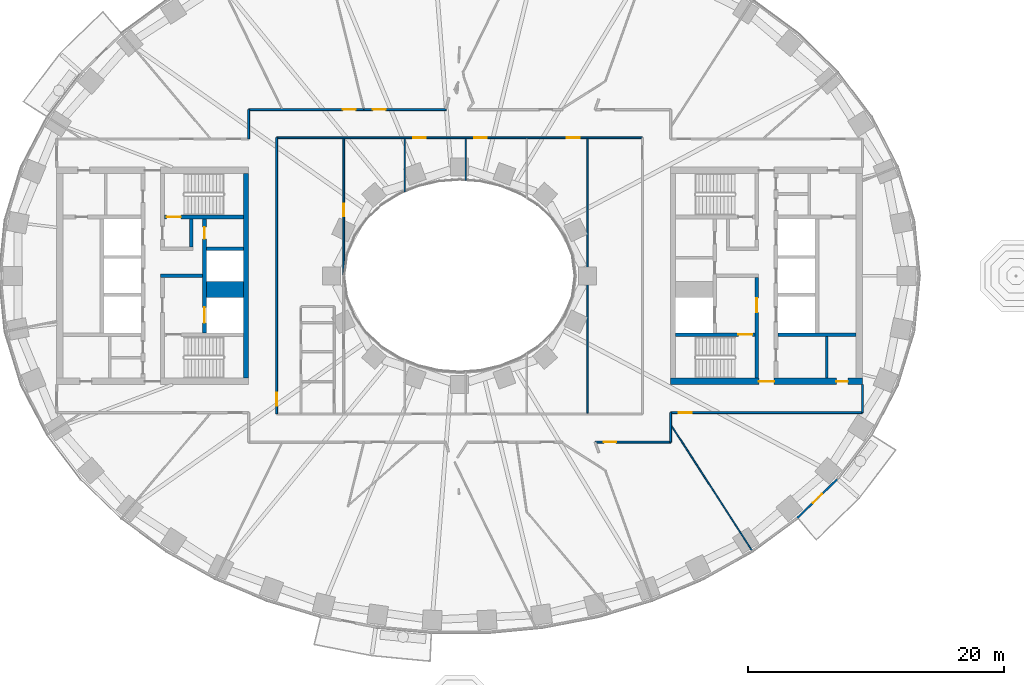
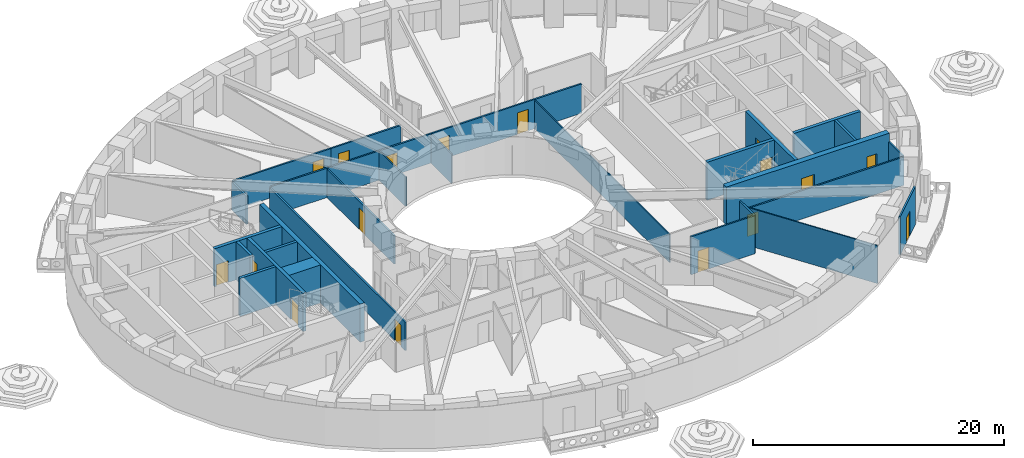
# One storey, part 5 of 20: 27 walls, 17 doors, 17 openings.
"""IFC4 building model written with IfcOpenShell, lengths in metres."""

from ifc_helpers import new_model, si_unit, direction, frame, frame_2d, origin, place, context, subcontext, project, spatial, rectangle, extrude, material, layer, layer_set, type_object, element, fill, save


model = new_model("IFC4")

# Units and contexts
model_context = context("Model", 3, precision=1e-05, world=origin(), true_north=direction((0.0, 1.0)))
body_context = subcontext(model_context, "Body", "Model", "MODEL_VIEW")
ifc_project = project(units=[si_unit("LENGTHUNIT", "METRE"), si_unit("AREAUNIT", "SQUARE_METRE"), si_unit("VOLUMEUNIT", "CUBIC_METRE"), si_unit("PLANEANGLEUNIT", "RADIAN"), si_unit("MASSUNIT", "GRAM", prefix="KILO")], contexts=[model_context])

# Site, building, storey
site_placement = place(None, origin())
site = spatial("IfcSite", under=ifc_project, at=site_placement, CompositionType="ELEMENT")
building_placement = place(site_placement, origin())
building = spatial("IfcBuilding", under=site, at=building_placement, Name="Noorbagh Ring Tower", CompositionType="ELEMENT")
storey_placement = place(building_placement, frame((0.0, 0.0, 34.5)))
storey = spatial("IfcBuildingStorey", under=building, at=storey_placement, Name="L06", CompositionType="ELEMENT", Elevation=34.5)

# Walls
ifc_material_1 = material(Name="Gypsum board on steel studs", Category="steel")
ifc_layer_1 = layer(ifc_material_1, 0.199951171875)
ifc_layer_set_1 = layer_set([ifc_layer_1], Name="Gypsum board on steel studs")
wall_type_1 = type_object("IfcWallType", Name="CORE-PARTITION-200", PredefinedType="PARTITIONING", material=ifc_layer_set_1)
wall_1_placement = place(storey_placement, frame((28.699951171875, -8.0, 0.0), z_axis=(0.0, 0.0, 1.0), x_axis=(0.0, 1.0, 0.0)))
element("IfcWall", 1, at=wall_1_placement, inside=storey, type_object=wall_type_1, Name="Core partition E", PredefinedType="PARTITIONING", context=body_context, shape_type="SweptSolid", body=[
    extrude(rectangle(XDim=3.25, YDim=0.199951171875, at=frame_2d((1.625, 0.0))), origin(), (0.0, 0.0, 1.0), 3.699951171875),
])
ifc_material_2 = material(Name="Concrete C70/85", Category="concrete")
ifc_layer_2 = layer(ifc_material_2, 1.25)
ifc_layer_set_2 = layer_set([ifc_layer_2], Name="Concrete C70/85")
wall_type_2 = type_object("IfcWallType", Name="CORE-WALL-1250-C70-85-EI120", PredefinedType="SHEAR", material=ifc_layer_set_2)
wall_2_placement = place(storey_placement, frame((-16.89990234375, -1.074951171875, 0.0), z_axis=(0.0, 0.0, 1.0), x_axis=(-1.0, 0.0, 0.0)))
element("IfcWall", 2, at=wall_2_placement, inside=storey, type_object=wall_type_2, Name="Core wall W", PredefinedType="SHEAR", context=body_context, shape_type="SweptSolid", body=[
    extrude(rectangle(XDim=2.900146484375, YDim=1.25, at=frame_2d((1.4501953125, 0.0))), origin(), (0.0, 0.0, 1.0), 3.699951171875),
])
ifc_material_3 = material(Name="Concrete C70/85", Category="concrete")
ifc_layer_3 = layer(ifc_material_3, 0.25)
ifc_layer_set_3 = layer_set([ifc_layer_3], Name="Concrete C70/85")
wall_type_3 = type_object("IfcWallType", Name="CORE-WALL-250-C70-85-EI120", PredefinedType="SHEAR", material=ifc_layer_set_3)
wall_3_placement = place(storey_placement, frame((-16.89990234375, 2.125, 0.0), z_axis=(0.0, 0.0, 1.0), x_axis=(-1.0, 0.0, 0.0)))
element("IfcWall", 3, at=wall_3_placement, inside=storey, type_object=wall_type_3, Name="Core wall W", PredefinedType="SHEAR", context=body_context, shape_type="SweptSolid", body=[
    extrude(rectangle(XDim=2.900146484375, YDim=0.25, at=frame_2d((1.4501953125, 0.0))), origin(), (0.0, 0.0, 1.0), 3.699951171875),
])
ifc_material_4 = material(Name="Concrete C70/85", Category="concrete")
ifc_layer_4 = layer(ifc_material_4, 0.25)
ifc_layer_set_4 = layer_set([ifc_layer_4], Name="Concrete C70/85")
wall_type_4 = type_object("IfcWallType", Name="CORE-WALL-250-C70-85-EI240", PredefinedType="SHEAR", material=ifc_layer_set_4)
wall_4_placement = place(storey_placement, frame((-20.10009765625, 0.0, 0.0), z_axis=(0.0, 0.0, 1.0), x_axis=(-1.0, 0.0, 0.0)))
element("IfcWall", 4, at=wall_4_placement, inside=storey, type_object=wall_type_4, Name="Core wall W", PredefinedType="SHEAR", context=body_context, shape_type="SweptSolid", body=[
    extrude(rectangle(XDim=3.27978515625, YDim=0.25, at=frame_2d((1.639892578125, 0.0))), origin(), (0.0, 0.0, 1.0), 3.699951171875),
])
wall_5_placement = place(storey_placement, frame((-20.97509765625, 2.25, 0.0), z_axis=(0.0, 0.0, 1.0), x_axis=(0.0, 1.0, 0.0)))
element("IfcWall", 5, at=wall_5_placement, inside=storey, type_object=wall_type_4, Name="Core wall W", PredefinedType="SHEAR", context=body_context, shape_type="SweptSolid", body=[
    extrude(rectangle(XDim=2.199951171875, YDim=0.25, at=frame_2d((1.10009765625, 0.0))), origin(), (0.0, 0.0, 1.0), 3.699951171875),
])

# Wall, openings, doors
ifc_material_5 = material(Name="Concrete C70/85", Category="concrete")
ifc_layer_5 = layer(ifc_material_5, 0.300048828125)
ifc_layer_set_5 = layer_set([ifc_layer_5], Name="Concrete C70/85")
wall_type_5 = type_object("IfcWallType", Name="CORE-WALL-300-C70-85-EI120", PredefinedType="SHEAR", material=ifc_layer_set_5)
wall_6_placement = place(storey_placement, frame((-19.949951171875, -4.449951171875, 0.0), z_axis=(0.0, 0.0, 1.0), x_axis=(0.0, 1.0, 0.0)))
wall_6 = element("IfcWall", 6, at=wall_6_placement, inside=storey, type_object=wall_type_5, Name="Core wall W", PredefinedType="SHEAR", context=body_context, shape_type="SweptSolid", body=[
    extrude(rectangle(XDim=8.89990234375, YDim=0.300048828125, at=frame_2d((4.449951171875, 0.0))), origin(), (0.0, 0.0, 1.0), 3.699951171875),
])
opening_1_placement = place(wall_6_placement, frame((0.77490234375, 0.0, 0.0)))
opening_1 = element("IfcOpeningElement", 7, at=opening_1_placement, cuts=wall_6, Name="Opening L06-CW01", PredefinedType="OPENING", context=body_context, shape_type="SweptSolid", body=[
    extrude(rectangle(XDim=1.199951171875, YDim=2.10009765625, at=frame_2d((0.60009765625, 1.050048828125))), frame((0.0, 0.16015625, 0.0), z_axis=(0.0, -1.0, 0.0), x_axis=(1.0, 0.0, 0.0)), (0.0, 0.0, 1.0), 0.320068359375),
])
opening_2_placement = place(wall_6_placement, frame((7.35009765625, 0.0, 0.0)))
opening_2 = element("IfcOpeningElement", 8, at=opening_2_placement, cuts=wall_6, Name="Opening L06-CW11", PredefinedType="OPENING", context=body_context, shape_type="SweptSolid", body=[
    extrude(rectangle(XDim=0.89990234375, YDim=2.10009765625, at=frame_2d((0.449951171875, 1.050048828125))), frame((0.0, 0.16015625, 0.0), z_axis=(0.0, -1.0, 0.0), x_axis=(1.0, 0.0, 0.0)), (0.0, 0.0, 1.0), 0.320068359375),
])
ifc_material_6 = material(Name="Steel door leaf", Category="steel")
door_type_1 = type_object("IfcDoorType", Name="CORE-DOOR-DROOM", OperationType="SINGLE_SWING_LEFT", PredefinedType="DOOR", material=ifc_material_6)
door_1_placement = place(opening_2_placement, origin())
door_1 = element("IfcDoor", 9, at=door_1_placement, inside=storey, type_object=door_type_1, Name="Core room door L06-CW11", OperationType="SINGLE_SWING_LEFT", OverallHeight=2.10009765625, OverallWidth=0.89990234375, PredefinedType="DOOR", context=body_context, shape_type="SweptSolid", body=[
    extrude(rectangle(XDim=0.89990234375, YDim=2.10009765625, at=frame_2d((0.449951171875, 1.050048828125))), frame((0.0, 0.02490234375, 0.0), z_axis=(0.0, -1.0, 0.0), x_axis=(1.0, 0.0, 0.0)), (0.0, 0.0, 1.0), 0.050048828125),
])
fill(opening_2, door_1)
ifc_material_7 = material(Name="Steel door leaf", Category="steel")
door_type_2 = type_object("IfcDoorType", Name="CORE-DOOR-LDW", OperationType="DOUBLE_DOOR_SLIDING", PredefinedType="DOOR", material=ifc_material_7)
door_2_placement = place(opening_1_placement, origin())
door_2 = element("IfcDoor", 10, at=door_2_placement, inside=storey, type_object=door_type_2, Name="Landing door FF1 L06-CW01", OperationType="DOUBLE_DOOR_SLIDING", OverallHeight=2.10009765625, OverallWidth=1.199951171875, PredefinedType="DOOR", context=body_context, shape_type="SweptSolid", body=[
    extrude(rectangle(XDim=1.199951171875, YDim=2.10009765625, at=frame_2d((0.60009765625, 1.050048828125))), frame((0.0, 0.02490234375, 0.0), z_axis=(0.0, -1.0, 0.0), x_axis=(1.0, 0.0, 0.0)), (0.0, 0.0, 1.0), 0.050048828125),
])
fill(opening_1, door_2)

# Wall, opening, door
ifc_material_8 = material(Name="Concrete C70/85", Category="concrete")
ifc_layer_6 = layer(ifc_material_8, 0.300048828125)
ifc_layer_set_6 = layer_set([ifc_layer_6], Name="Concrete C70/85")
wall_type_6 = type_object("IfcWallType", Name="CORE-WALL-300-C70-85-EI240", PredefinedType="SHEAR", material=ifc_layer_set_6)
wall_7_placement = place(storey_placement, frame((-16.89990234375, 4.60009765625, 0.0), z_axis=(0.0, 0.0, 1.0), x_axis=(-1.0, 0.0, 0.0)))
wall_7 = element("IfcWall", 11, at=wall_7_placement, inside=storey, type_object=wall_type_6, Name="Core wall W", PredefinedType="SHEAR", context=body_context, shape_type="SweptSolid", body=[
    extrude(rectangle(XDim=6.18017578125, YDim=0.300048828125, at=frame_2d((3.090087890625, 0.0))), origin(), (0.0, 0.0, 1.0), 3.699951171875),
])
opening_3_placement = place(wall_7_placement, frame((4.89990234375, 0.0, 0.0)))
opening_3 = element("IfcOpeningElement", 12, at=opening_3_placement, cuts=wall_7, Name="Opening L06-CW05", PredefinedType="OPENING", context=body_context, shape_type="SweptSolid", body=[
    extrude(rectangle(XDim=1.10009765625, YDim=2.10009765625, at=frame_2d((0.550048828125, 1.050048828125))), frame((0.0, 0.16015625, 0.0), z_axis=(0.0, -1.0, 0.0), x_axis=(1.0, 0.0, 0.0)), (0.0, 0.0, 1.0), 0.320068359375),
])
ifc_material_9 = material(Name="Steel door leaf", Category="steel")
door_type_3 = type_object("IfcDoorType", Name="CORE-DOOR-DSTAIR", OperationType="SINGLE_SWING_LEFT", PredefinedType="DOOR", material=ifc_material_9)
door_3_placement = place(opening_3_placement, origin())
door_3 = element("IfcDoor", 13, at=door_3_placement, inside=storey, type_object=door_type_3, Name="Stair door ST1 L06-CW05", OperationType="SINGLE_SWING_RIGHT", OverallHeight=2.10009765625, OverallWidth=1.10009765625, PredefinedType="DOOR", context=body_context, shape_type="SweptSolid", body=[
    extrude(rectangle(XDim=1.10009765625, YDim=2.10009765625, at=frame_2d((0.550048828125, 1.050048828125))), frame((0.0, 0.02490234375, 0.0), z_axis=(0.0, -1.0, 0.0), x_axis=(1.0, 0.0, 0.0)), (0.0, 0.0, 1.0), 0.050048828125),
])
fill(opening_3, door_3)

# Wall
wall_8_placement = place(storey_placement, frame((24.89990234375, -4.60009765625, 0.0), z_axis=(0.0, 0.0, 1.0), x_axis=(1.0, 0.0, 0.0)))
element("IfcWall", 14, at=wall_8_placement, inside=storey, type_object=wall_type_6, Name="Core wall E", PredefinedType="SHEAR", context=body_context, shape_type="SweptSolid", body=[
    extrude(rectangle(XDim=6.10009765625, YDim=0.300048828125, at=frame_2d((3.050048828125, 0.0))), origin(), (0.0, 0.0, 1.0), 3.699951171875),
])

# Wall, opening, door
wall_9_placement = place(storey_placement, frame((23.22998046875, -8.0, 0.0), z_axis=(0.0, 0.0, 1.0), x_axis=(0.0, 1.0, 0.0)))
wall_9 = element("IfcWall", 15, at=wall_9_placement, inside=storey, type_object=wall_type_6, Name="Core wall E", PredefinedType="SHEAR", context=body_context, shape_type="SweptSolid", body=[
    extrude(rectangle(XDim=7.875, YDim=0.300048828125, at=frame_2d((3.9375, 0.0))), origin(), (0.0, 0.0, 1.0), 3.699951171875),
])
opening_4_placement = place(wall_9_placement, frame((5.14990234375, 0.0, 0.0)))
opening_4 = element("IfcOpeningElement", 16, at=opening_4_placement, cuts=wall_9, Name="Opening L06-CE07", PredefinedType="OPENING", context=body_context, shape_type="SweptSolid", body=[
    extrude(rectangle(XDim=1.10009765625, YDim=2.10009765625, at=frame_2d((0.550048828125, 1.050048828125))), frame((0.0, 0.16015625, 0.0), z_axis=(0.0, -1.0, 0.0), x_axis=(1.0, 0.0, 0.0)), (0.0, 0.0, 1.0), 0.320068359375),
])
ifc_material_10 = material(Name="Steel door leaf", Category="steel")
door_type_4 = type_object("IfcDoorType", Name="CORE-DOOR-DFF", OperationType="SINGLE_SWING_LEFT", PredefinedType="DOOR", material=ifc_material_10)
door_4_placement = place(opening_4_placement, origin())
door_4 = element("IfcDoor", 17, at=door_4_placement, inside=storey, type_object=door_type_4, Name="Firefighting lobby door L06-CE07", OperationType="SINGLE_SWING_RIGHT", OverallHeight=2.10009765625, OverallWidth=1.10009765625, PredefinedType="DOOR", context=body_context, shape_type="SweptSolid", body=[
    extrude(rectangle(XDim=1.10009765625, YDim=2.10009765625, at=frame_2d((0.550048828125, 1.050048828125))), frame((0.0, 0.02490234375, 0.0), z_axis=(0.0, -1.0, 0.0), x_axis=(1.0, 0.0, 0.0)), (0.0, 0.0, 1.0), 0.050048828125),
])
fill(opening_4, door_4)

wall_10_placement = place(storey_placement, frame((16.89990234375, -4.60009765625, 0.0), z_axis=(0.0, 0.0, 1.0), x_axis=(1.0, 0.0, 0.0)))
wall_10 = element("IfcWall", 18, at=wall_10_placement, inside=storey, type_object=wall_type_6, Name="Core wall E", PredefinedType="SHEAR", context=body_context, shape_type="SweptSolid", body=[
    extrude(rectangle(XDim=6.18017578125, YDim=0.300048828125, at=frame_2d((3.090087890625, 0.0))), origin(), (0.0, 0.0, 1.0), 3.699951171875),
])
opening_5_placement = place(wall_10_placement, frame((4.89990234375, 0.0, 0.0)))
opening_5 = element("IfcOpeningElement", 19, at=opening_5_placement, cuts=wall_10, Name="Opening L06-CE06", PredefinedType="OPENING", context=body_context, shape_type="SweptSolid", body=[
    extrude(rectangle(XDim=1.10009765625, YDim=2.10009765625, at=frame_2d((0.550048828125, 1.050048828125))), frame((0.0, 0.16015625, 0.0), z_axis=(0.0, -1.0, 0.0), x_axis=(1.0, 0.0, 0.0)), (0.0, 0.0, 1.0), 0.320068359375),
])
door_5_placement = place(opening_5_placement, origin())
door_5 = element("IfcDoor", 20, at=door_5_placement, inside=storey, type_object=door_type_3, Name="Stair door ST4 L06-CE06", OperationType="SINGLE_SWING_RIGHT", OverallHeight=2.10009765625, OverallWidth=1.10009765625, PredefinedType="DOOR", context=body_context, shape_type="SweptSolid", body=[
    extrude(rectangle(XDim=1.10009765625, YDim=2.10009765625, at=frame_2d((0.550048828125, 1.050048828125))), frame((0.0, 0.02490234375, 0.0), z_axis=(0.0, -1.0, 0.0), x_axis=(1.0, 0.0, 0.0)), (0.0, 0.0, 1.0), 0.050048828125),
])
fill(opening_5, door_5)

# Wall
ifc_material_11 = material(Name="Concrete C70/85", Category="concrete")
ifc_layer_7 = layer(ifc_material_11, 0.39990234375)
ifc_layer_set_7 = layer_set([ifc_layer_7], Name="Concrete C70/85")
wall_type_7 = type_object("IfcWallType", Name="CORE-WALL-400-C70-85-EI240", PredefinedType="SHEAR", material=ifc_layer_set_7)
wall_11_placement = place(storey_placement, frame((-16.699951171875, -8.0, 0.0), z_axis=(0.0, 0.0, 1.0), x_axis=(0.0, 1.0, 0.0)))
element("IfcWall", 21, at=wall_11_placement, inside=storey, type_object=wall_type_7, Name="Core wall W", PredefinedType="SHEAR", context=body_context, shape_type="SweptSolid", body=[
    extrude(rectangle(XDim=16.0, YDim=0.39990234375, at=frame_2d((8.0, 0.0))), origin(), (0.0, 0.0, 1.0), 3.699951171875),
])

# Wall, openings, doors
ifc_material_12 = material(Name="Concrete C70/85", Category="concrete")
ifc_layer_8 = layer(ifc_material_12, 0.5)
ifc_layer_set_8 = layer_set([ifc_layer_8], Name="Concrete C70/85")
wall_type_8 = type_object("IfcWallType", Name="CORE-WALL-500-C70-85-EI240", PredefinedType="SHEAR", material=ifc_layer_set_8)
wall_12_placement = place(storey_placement, frame((16.5, -8.25, 0.0), z_axis=(0.0, 0.0, 1.0), x_axis=(1.0, 0.0, 0.0)))
wall_12 = element("IfcWall", 22, at=wall_12_placement, inside=storey, type_object=wall_type_8, Name="Core wall E", PredefinedType="SHEAR", context=body_context, shape_type="SweptSolid", body=[
    extrude(rectangle(XDim=15.0, YDim=0.5, at=frame_2d((7.5, 0.0))), origin(), (0.0, 0.0, 1.0), 3.699951171875),
])
opening_6_placement = place(wall_12_placement, frame((6.89990234375, 0.0, 0.0)))
opening_6 = element("IfcOpeningElement", 23, at=opening_6_placement, cuts=wall_12, Name="Opening L06-CE10", PredefinedType="OPENING", context=body_context, shape_type="SweptSolid", body=[
    extrude(rectangle(XDim=1.199951171875, YDim=2.10009765625, at=frame_2d((0.60009765625, 1.050048828125))), frame((0.0, 0.260009765625, 0.0), z_axis=(0.0, -1.0, 0.0), x_axis=(1.0, 0.0, 0.0)), (0.0, 0.0, 1.0), 0.52001953125),
])
opening_7_placement = place(wall_12_placement, frame((12.949951171875, 0.0, 0.0)))
opening_7 = element("IfcOpeningElement", 24, at=opening_7_placement, cuts=wall_12, Name="Opening L06-CE17", PredefinedType="OPENING", context=body_context, shape_type="SweptSolid", body=[
    extrude(rectangle(XDim=0.89990234375, YDim=2.10009765625, at=frame_2d((0.449951171875, 1.050048828125))), frame((0.0, 0.260009765625, 0.0), z_axis=(0.0, -1.0, 0.0), x_axis=(1.0, 0.0, 0.0)), (0.0, 0.0, 1.0), 0.52001953125),
])
door_6_placement = place(opening_7_placement, origin())
door_6 = element("IfcDoor", 25, at=door_6_placement, inside=storey, type_object=door_type_1, Name="Core room door L06-CE17", OperationType="SINGLE_SWING_RIGHT", OverallHeight=2.10009765625, OverallWidth=0.89990234375, PredefinedType="DOOR", context=body_context, shape_type="SweptSolid", body=[
    extrude(rectangle(XDim=0.89990234375, YDim=2.10009765625, at=frame_2d((0.449951171875, 1.050048828125))), frame((0.0, 0.02490234375, 0.0), z_axis=(0.0, -1.0, 0.0), x_axis=(1.0, 0.0, 0.0)), (0.0, 0.0, 1.0), 0.050048828125),
])
fill(opening_7, door_6)
ifc_material_13 = material(Name="Steel door leaf", Category="steel")
door_type_5 = type_object("IfcDoorType", Name="CORE-DOOR-PORT", OperationType="DOUBLE_DOOR_DOUBLE_SWING", PredefinedType="DOOR", material=ifc_material_13)
door_7_placement = place(opening_6_placement, origin())
door_7 = element("IfcDoor", 26, at=door_7_placement, inside=storey, type_object=door_type_5, Name="Core entrance door L06-CE10", OperationType="DOUBLE_DOOR_DOUBLE_SWING", OverallHeight=2.10009765625, OverallWidth=1.199951171875, PredefinedType="DOOR", context=body_context, shape_type="SweptSolid", body=[
    extrude(rectangle(XDim=1.199951171875, YDim=2.10009765625, at=frame_2d((0.60009765625, 1.050048828125))), frame((0.0, 0.02490234375, 0.0), z_axis=(0.0, -1.0, 0.0), x_axis=(1.0, 0.0, 0.0)), (0.0, 0.0, 1.0), 0.050048828125),
])
fill(opening_6, door_7)

# Wall
ifc_material_14 = material(Name="Gypsum board on steel studs", Category="steel")
ifc_layer_9 = layer(ifc_material_14, 0.14990234375)
ifc_layer_set_9 = layer_set([ifc_layer_9], Name="Gypsum board on steel studs")
wall_type_9 = type_object("IfcWallType", Name="CORRIDOR PARTITION 150 EI 30", PredefinedType="PARTITIONING", material=ifc_layer_set_9)
wall_13_placement = place(storey_placement, frame((-16.5, 10.699951171875, 0.0), z_axis=(0.0, 0.0, 1.0), x_axis=(0.0, 1.0, 0.0)))
element("IfcWall", 27, at=wall_13_placement, inside=storey, type_object=wall_type_9, Name="L06/wall/P14", PredefinedType="PARTITIONING", context=body_context, shape_type="SweptSolid", body=[
    extrude(rectangle(XDim=2.300048828125, YDim=0.14990234375, at=frame_2d((1.14990234375, 0.0))), origin(), (0.0, 0.0, 1.0), 2.75),
])

# Wall, opening, door
wall_14_placement = place(storey_placement, frame((-16.5, 13.0, 0.0), z_axis=(0.0, 0.0, 1.0), x_axis=(1.0, 0.0, 0.0)))
wall_14 = element("IfcWall", 28, at=wall_14_placement, inside=storey, type_object=wall_type_9, Name="L06/wall/P15", PredefinedType="PARTITIONING", context=body_context, shape_type="SweptSolid", body=[
    extrude(rectangle(XDim=9.0009765625, YDim=0.14990234375, at=frame_2d((4.50048828125, 0.0))), origin(), (0.0, 0.0, 1.0), 2.85009765625),
])
opening_8_placement = place(wall_14_placement, frame((7.366943359375, 0.0, 0.0)))
opening_8 = element("IfcOpeningElement", 29, at=opening_8_placement, cuts=wall_14, Name="Opening D1", PredefinedType="OPENING", context=body_context, shape_type="SweptSolid", body=[
    extrude(rectangle(XDim=1.0, YDim=2.10009765625, at=frame_2d((0.5, 1.050048828125))), frame((0.0, 0.0849609375, 0.0), z_axis=(0.0, -1.0, 0.0), x_axis=(1.0, 0.0, 0.0)), (0.0, 0.0, 1.0), 0.169921875),
])
ifc_material_15 = material(Name="Timber, painted", Category="wood")
door_type_6 = type_object("IfcDoorType", Name="DOOR 1000 X 2100 FD30", OperationType="SINGLE_SWING_LEFT", PredefinedType="DOOR", material=ifc_material_15)
door_8_placement = place(opening_8_placement, origin())
door_8 = element("IfcDoor", 30, at=door_8_placement, inside=storey, type_object=door_type_6, Name="L06-D13", OperationType="SINGLE_SWING_LEFT", OverallHeight=2.10009765625, OverallWidth=1.0, PredefinedType="DOOR", context=body_context, shape_type="SweptSolid", body=[
    extrude(rectangle(XDim=1.0, YDim=2.10009765625, at=frame_2d((0.5, 1.050048828125))), frame((0.0, 0.02490234375, 0.0), z_axis=(0.0, -1.0, 0.0), x_axis=(1.0, 0.0, 0.0)), (0.0, 0.0, 1.0), 0.050048828125),
])
fill(opening_8, door_8)

wall_15_placement = place(storey_placement, frame((-14.300048828125, -10.800048828125, 0.0), z_axis=(0.0, 0.0, 1.0), x_axis=(0.0, 1.0, 0.0)))
wall_15 = element("IfcWall", 31, at=wall_15_placement, inside=storey, type_object=wall_type_9, Name="L06/wall/P16", PredefinedType="PARTITIONING", context=body_context, shape_type="SweptSolid", body=[
    extrude(rectangle(XDim=21.60009765625, YDim=0.14990234375, at=frame_2d((10.800048828125, 0.0))), origin(), (0.0, 0.0, 1.0), 2.75),
])
opening_9_placement = place(wall_15_placement, frame((0.64990234375, 0.0, 0.0)))
opening_9 = element("IfcOpeningElement", 32, at=opening_9_placement, cuts=wall_15, Name="Opening D1", PredefinedType="OPENING", context=body_context, shape_type="SweptSolid", body=[
    extrude(rectangle(XDim=1.0, YDim=2.10009765625, at=frame_2d((0.5, 1.050048828125))), frame((0.0, 0.0849609375, 0.0), z_axis=(0.0, -1.0, 0.0), x_axis=(1.0, 0.0, 0.0)), (0.0, 0.0, 1.0), 0.169921875),
])
door_9_placement = place(opening_9_placement, origin())
door_9 = element("IfcDoor", 33, at=door_9_placement, inside=storey, type_object=door_type_6, Name="L06-D01", OperationType="SINGLE_SWING_LEFT", OverallHeight=2.10009765625, OverallWidth=1.0, PredefinedType="DOOR", context=body_context, shape_type="SweptSolid", body=[
    extrude(rectangle(XDim=1.0, YDim=2.10009765625, at=frame_2d((0.5, 1.050048828125))), frame((0.0, 0.02490234375, 0.0), z_axis=(0.0, -1.0, 0.0), x_axis=(1.0, 0.0, 0.0)), (0.0, 0.0, 1.0), 0.050048828125),
])
fill(opening_9, door_9)

# Wall, openings, doors
wall_16_placement = place(storey_placement, frame((-14.300048828125, 10.800048828125, 0.0), z_axis=(0.0, 0.0, 1.0), x_axis=(1.0, 0.0, 0.0)))
wall_16 = element("IfcWall", 34, at=wall_16_placement, inside=storey, type_object=wall_type_9, Name="L06/wall/P18", PredefinedType="PARTITIONING", context=body_context, shape_type="SweptSolid", body=[
    extrude(rectangle(XDim=28.60009765625, YDim=0.14990234375, at=frame_2d((14.300048828125, 0.0))), origin(), (0.0, 0.0, 1.0), 2.85009765625),
])
opening_10_placement = place(wall_16_placement, frame((10.659912109375, 0.0, 0.0)))
opening_10 = element("IfcOpeningElement", 35, at=opening_10_placement, cuts=wall_16, Name="Opening D1", PredefinedType="OPENING", context=body_context, shape_type="SweptSolid", body=[
    extrude(rectangle(XDim=1.0, YDim=2.10009765625, at=frame_2d((0.5, 1.050048828125))), frame((0.0, 0.0849609375, 0.0), z_axis=(0.0, -1.0, 0.0), x_axis=(1.0, 0.0, 0.0)), (0.0, 0.0, 1.0), 0.169921875),
])
opening_11_placement = place(wall_16_placement, frame((15.427001953125, 0.0, 0.0)))
opening_11 = element("IfcOpeningElement", 36, at=opening_11_placement, cuts=wall_16, Name="Opening D1", PredefinedType="OPENING", context=body_context, shape_type="SweptSolid", body=[
    extrude(rectangle(XDim=1.0, YDim=2.10009765625, at=frame_2d((0.5, 1.050048828125))), frame((0.0, 0.0849609375, 0.0), z_axis=(0.0, -1.0, 0.0), x_axis=(1.0, 0.0, 0.0)), (0.0, 0.0, 1.0), 0.169921875),
])
opening_12_placement = place(wall_16_placement, frame((22.693115234375, 0.0, 0.0)))
opening_12 = element("IfcOpeningElement", 37, at=opening_12_placement, cuts=wall_16, Name="Opening D1", PredefinedType="OPENING", context=body_context, shape_type="SweptSolid", body=[
    extrude(rectangle(XDim=1.0, YDim=2.10009765625, at=frame_2d((0.5, 1.050048828125))), frame((0.0, 0.0849609375, 0.0), z_axis=(0.0, -1.0, 0.0), x_axis=(1.0, 0.0, 0.0)), (0.0, 0.0, 1.0), 0.169921875),
])
door_10_placement = place(opening_10_placement, origin())
door_10 = element("IfcDoor", 38, at=door_10_placement, inside=storey, type_object=door_type_6, Name="L06-D27", OperationType="SINGLE_SWING_LEFT", OverallHeight=2.10009765625, OverallWidth=1.0, PredefinedType="DOOR", context=body_context, shape_type="SweptSolid", body=[
    extrude(rectangle(XDim=1.0, YDim=2.10009765625, at=frame_2d((0.5, 1.050048828125))), frame((0.0, 0.02490234375, 0.0), z_axis=(0.0, -1.0, 0.0), x_axis=(1.0, 0.0, 0.0)), (0.0, 0.0, 1.0), 0.050048828125),
])
fill(opening_10, door_10)
door_11_placement = place(opening_11_placement, origin())
door_11 = element("IfcDoor", 39, at=door_11_placement, inside=storey, type_object=door_type_6, Name="L06-D29", OperationType="SINGLE_SWING_LEFT", OverallHeight=2.10009765625, OverallWidth=1.0, PredefinedType="DOOR", context=body_context, shape_type="SweptSolid", body=[
    extrude(rectangle(XDim=1.0, YDim=2.10009765625, at=frame_2d((0.5, 1.050048828125))), frame((0.0, 0.02490234375, 0.0), z_axis=(0.0, -1.0, 0.0), x_axis=(1.0, 0.0, 0.0)), (0.0, 0.0, 1.0), 0.050048828125),
])
fill(opening_11, door_11)
door_12_placement = place(opening_12_placement, origin())
door_12 = element("IfcDoor", 40, at=door_12_placement, inside=storey, type_object=door_type_6, Name="L06-D30", OperationType="SINGLE_SWING_RIGHT", OverallHeight=2.10009765625, OverallWidth=1.0, PredefinedType="DOOR", context=body_context, shape_type="SweptSolid", body=[
    extrude(rectangle(XDim=1.0, YDim=2.10009765625, at=frame_2d((0.5, 1.050048828125))), frame((0.0, 0.02490234375, 0.0), z_axis=(0.0, -1.0, 0.0), x_axis=(1.0, 0.0, 0.0)), (0.0, 0.0, 1.0), 0.050048828125),
])
fill(opening_12, door_12)

# Wall, opening, door
wall_17_placement = place(storey_placement, frame((-9.056884765625, 0.044921875, 0.0), z_axis=(0.0, 0.0, 1.0), x_axis=(0.0, 1.0, 0.0)))
wall_17 = element("IfcWall", 41, at=wall_17_placement, inside=storey, type_object=wall_type_9, Name="L06/wall/P29", PredefinedType="PARTITIONING", context=body_context, shape_type="SweptSolid", body=[
    extrude(rectangle(XDim=10.68017578125, YDim=0.14990234375, at=frame_2d((5.340087890625, 0.0))), origin(), (0.0, 0.0, 1.0), 2.75),
])
opening_13_placement = place(wall_17_placement, frame((4.610107421875, 0.0, 0.0)))
opening_13 = element("IfcOpeningElement", 42, at=opening_13_placement, cuts=wall_17, Name="Opening D1", PredefinedType="OPENING", context=body_context, shape_type="SweptSolid", body=[
    extrude(rectangle(XDim=1.0, YDim=2.10009765625, at=frame_2d((0.5, 1.050048828125))), frame((0.0, 0.0849609375, 0.0), z_axis=(0.0, -1.0, 0.0), x_axis=(1.0, 0.0, 0.0)), (0.0, 0.0, 1.0), 0.169921875),
])
door_13_placement = place(opening_13_placement, origin())
door_13 = element("IfcDoor", 43, at=door_13_placement, inside=storey, type_object=door_type_6, Name="L06-D25", OperationType="SINGLE_SWING_LEFT", OverallHeight=2.10009765625, OverallWidth=1.0, PredefinedType="DOOR", context=body_context, shape_type="SweptSolid", body=[
    extrude(rectangle(XDim=1.0, YDim=2.10009765625, at=frame_2d((0.5, 1.050048828125))), frame((0.0, 0.02490234375, 0.0), z_axis=(0.0, -1.0, 0.0), x_axis=(1.0, 0.0, 0.0)), (0.0, 0.0, 1.0), 0.050048828125),
])
fill(opening_13, door_13)

wall_18_placement = place(storey_placement, frame((-7.48291015625, 13.0, 0.0), z_axis=(0.0, 0.0, 1.0), x_axis=(1.0, 0.0, 0.0)))
wall_18 = element("IfcWall", 44, at=wall_18_placement, inside=storey, type_object=wall_type_9, Name="L06/wall/P33", PredefinedType="PARTITIONING", context=body_context, shape_type="SweptSolid", body=[
    extrude(rectangle(XDim=6.421875, YDim=0.14990234375, at=frame_2d((3.2109375, 0.0))), origin(), (0.0, 0.0, 1.0), 2.85009765625),
])
opening_14_placement = place(wall_18_placement, frame((0.69189453125, 0.0, 0.0)))
opening_14 = element("IfcOpeningElement", 45, at=opening_14_placement, cuts=wall_18, Name="Opening D1", PredefinedType="OPENING", context=body_context, shape_type="SweptSolid", body=[
    extrude(rectangle(XDim=1.0, YDim=2.10009765625, at=frame_2d((0.5, 1.050048828125))), frame((0.0, 0.0849609375, 0.0), z_axis=(0.0, -1.0, 0.0), x_axis=(1.0, 0.0, 0.0)), (0.0, 0.0, 1.0), 0.169921875),
])
door_14_placement = place(opening_14_placement, origin())
door_14 = element("IfcDoor", 46, at=door_14_placement, inside=storey, type_object=door_type_6, Name="L06-D14", OperationType="SINGLE_SWING_RIGHT", OverallHeight=2.10009765625, OverallWidth=1.0, PredefinedType="DOOR", context=body_context, shape_type="SweptSolid", body=[
    extrude(rectangle(XDim=1.0, YDim=2.10009765625, at=frame_2d((0.5, 1.050048828125))), frame((0.0, 0.02490234375, 0.0), z_axis=(0.0, -1.0, 0.0), x_axis=(1.0, 0.0, 0.0)), (0.0, 0.0, 1.0), 0.050048828125),
])
fill(opening_14, door_14)

wall_19_placement = place(storey_placement, frame((10.60693359375, -13.0, 0.0), z_axis=(0.0, 0.0, 1.0), x_axis=(1.0, 0.0, 0.0)))
wall_19 = element("IfcWall", 47, at=wall_19_placement, inside=storey, type_object=wall_type_9, Name="L06/wall/P69", PredefinedType="PARTITIONING", context=body_context, shape_type="SweptSolid", body=[
    extrude(rectangle(XDim=5.89306640625, YDim=0.14990234375, at=frame_2d((2.946533203125, 0.0))), origin(), (0.0, 0.0, 1.0), 3.699951171875),
])
opening_15_placement = place(wall_19_placement, frame((0.64990234375, 0.0, 0.0)))
opening_15 = element("IfcOpeningElement", 48, at=opening_15_placement, cuts=wall_19, Name="Opening D1", PredefinedType="OPENING", context=body_context, shape_type="SweptSolid", body=[
    extrude(rectangle(XDim=1.0, YDim=2.10009765625, at=frame_2d((0.5, 1.050048828125))), frame((0.0, 0.0849609375, 0.0), z_axis=(0.0, -1.0, 0.0), x_axis=(1.0, 0.0, 0.0)), (0.0, 0.0, 1.0), 0.169921875),
])
door_15_placement = place(opening_15_placement, origin())
door_15 = element("IfcDoor", 49, at=door_15_placement, inside=storey, type_object=door_type_6, Name="L06-D19", OperationType="SINGLE_SWING_LEFT", OverallHeight=2.10009765625, OverallWidth=1.0, PredefinedType="DOOR", context=body_context, shape_type="SweptSolid", body=[
    extrude(rectangle(XDim=1.0, YDim=2.10009765625, at=frame_2d((0.5, 1.050048828125))), frame((0.0, 0.02490234375, 0.0), z_axis=(0.0, -1.0, 0.0), x_axis=(1.0, 0.0, 0.0)), (0.0, 0.0, 1.0), 0.050048828125),
])
fill(opening_15, door_15)

# Wall
wall_20_placement = place(storey_placement, frame((16.5, -13.0, 0.0), z_axis=(0.0, 0.0, 1.0), x_axis=(0.0, 1.0, 0.0)))
element("IfcWall", 50, at=wall_20_placement, inside=storey, type_object=wall_type_9, Name="L06/wall/P74", PredefinedType="PARTITIONING", context=body_context, shape_type="SweptSolid", body=[
    extrude(rectangle(XDim=2.300048828125, YDim=0.14990234375, at=frame_2d((1.14990234375, 0.0))), origin(), (0.0, 0.0, 1.0), 3.699951171875),
])

# Wall, opening, door
wall_21_placement = place(storey_placement, frame((16.5, -10.699951171875, 0.0), z_axis=(0.0, 0.0, 1.0), x_axis=(1.0, 0.0, 0.0)))
wall_21 = element("IfcWall", 51, at=wall_21_placement, inside=storey, type_object=wall_type_9, Name="L06/wall/P76", PredefinedType="PARTITIONING", context=body_context, shape_type="SweptSolid", body=[
    extrude(rectangle(XDim=15.0, YDim=0.14990234375, at=frame_2d((7.5, 0.0))), origin(), (0.0, 0.0, 1.0), 2.75),
])
opening_16_placement = place(wall_21_placement, frame((0.64990234375, 0.0, 0.0)))
opening_16 = element("IfcOpeningElement", 52, at=opening_16_placement, cuts=wall_21, Name="Opening D1", PredefinedType="OPENING", context=body_context, shape_type="SweptSolid", body=[
    extrude(rectangle(XDim=1.0, YDim=2.10009765625, at=frame_2d((0.5, 1.050048828125))), frame((0.0, 0.0849609375, 0.0), z_axis=(0.0, -1.0, 0.0), x_axis=(1.0, 0.0, 0.0)), (0.0, 0.0, 1.0), 0.169921875),
])
door_16_placement = place(opening_16_placement, origin())
door_16 = element("IfcDoor", 53, at=door_16_placement, inside=storey, type_object=door_type_6, Name="L06-D21", OperationType="SINGLE_SWING_LEFT", OverallHeight=2.10009765625, OverallWidth=1.0, PredefinedType="DOOR", context=body_context, shape_type="SweptSolid", body=[
    extrude(rectangle(XDim=1.0, YDim=2.10009765625, at=frame_2d((0.5, 1.050048828125))), frame((0.0, 0.02490234375, 0.0), z_axis=(0.0, -1.0, 0.0), x_axis=(1.0, 0.0, 0.0)), (0.0, 0.0, 1.0), 0.050048828125),
])
fill(opening_16, door_16)

# Wall
wall_22_placement = place(storey_placement, frame((31.5, -10.699951171875, 0.0), z_axis=(0.0, 0.0, 1.0), x_axis=(0.0, 1.0, 0.0)))
element("IfcWall", 54, at=wall_22_placement, inside=storey, type_object=wall_type_9, Name="L06/wall/P81", PredefinedType="PARTITIONING", context=body_context, shape_type="SweptSolid", body=[
    extrude(rectangle(XDim=2.199951171875, YDim=0.14990234375, at=frame_2d((1.10009765625, 0.0))), origin(), (0.0, 0.0, 1.0), 2.85009765625),
])

# Wall, opening, door
ifc_material_16 = material(Name="Insulated aluminium clad panel", Category="aluminium")
ifc_layer_10 = layer(ifc_material_16, 0.14990234375)
ifc_layer_set_10 = layer_set([ifc_layer_10], Name="Insulated aluminium clad panel")
wall_type_10 = type_object("IfcWallType", Name="ENV-WALL-DOOR", PredefinedType="STANDARD", material=ifc_layer_set_10)
wall_23_placement = place(storey_placement, frame((26.396484375, -18.943359375, 0.0), z_axis=(0.0, 0.0, 1.0), x_axis=(0.717214761864, 0.696852197647, 0.0)))
wall_23 = element("IfcWall", 55, at=wall_23_placement, inside=storey, type_object=wall_type_10, Name="Balcony door wall chord 42", PredefinedType="STANDARD", context=body_context, shape_type="SweptSolid", body=[
    extrude(rectangle(XDim=4.424072265625, YDim=0.14990234375, at=frame_2d((2.2119140625, 0.0))), origin(), (0.0, 0.0, 1.0), 3.699951171875),
])
opening_17_placement = place(wall_23_placement, frame((1.712158203125, 0.0, 0.0)))
opening_17 = element("IfcOpeningElement", 56, at=opening_17_placement, cuts=wall_23, Name="Opening D-BL", PredefinedType="OPENING", context=body_context, shape_type="SweptSolid", body=[
    extrude(rectangle(XDim=1.0, YDim=2.39990234375, at=frame_2d((0.5, 1.199951171875))), frame((0.0, 0.0849609375, 0.0), z_axis=(0.0, -1.0, 0.0), x_axis=(1.0, 0.0, 0.0)), (0.0, 0.0, 1.0), 0.169921875),
])
ifc_material_17 = material(Name="Aluminium and glass", Category="aluminium")
door_type_7 = type_object("IfcDoorType", Name="ENV-DOOR-BALCONY", OperationType="SINGLE_SWING_LEFT", PredefinedType="DOOR", material=ifc_material_17)
door_17_placement = place(opening_17_placement, origin())
door_17 = element("IfcDoor", 57, at=door_17_placement, inside=storey, type_object=door_type_7, Name="Balcony door chord 42", OperationType="SINGLE_SWING_LEFT", OverallHeight=2.39990234375, OverallWidth=1.0, PredefinedType="DOOR", context=body_context, shape_type="SweptSolid", body=[
    extrude(rectangle(XDim=1.0, YDim=2.39990234375, at=frame_2d((0.5, 1.199951171875))), frame((0.0, 0.02490234375, 0.0), z_axis=(0.0, -1.0, 0.0), x_axis=(1.0, 0.0, 0.0)), (0.0, 0.0, 1.0), 0.050048828125),
])
fill(opening_17, door_17)

# Walls
ifc_material_18 = material(Name="Gypsum board on steel studs", Category="steel")
ifc_layer_11 = layer(ifc_material_18, 0.10009765625)
ifc_layer_set_11 = layer_set([ifc_layer_11], Name="Gypsum board on steel studs")
wall_type_11 = type_object("IfcWallType", Name="PARTITION 100 GYPSUM", PredefinedType="PARTITIONING", material=ifc_layer_set_11)
wall_24_placement = place(storey_placement, frame((-4.2900390625, 6.568115234375, 0.0), z_axis=(0.0, 0.0, 1.0), x_axis=(0.0, 1.0, 0.0)))
element("IfcWall", 58, at=wall_24_placement, inside=storey, type_object=wall_type_11, Name="L06/wall/P35", PredefinedType="PARTITIONING", context=body_context, shape_type="SweptSolid", body=[
    extrude(rectangle(XDim=4.156982421875, YDim=0.10009765625, at=frame_2d((2.07861328125, 0.0))), origin(), (0.0, 0.0, 1.0), 2.85009765625),
])
wall_25_placement = place(storey_placement, frame((0.47705078125, 7.468017578125, 0.0), z_axis=(0.0, 0.0, 1.0), x_axis=(0.0, 1.0, 0.0)))
element("IfcWall", 59, at=wall_25_placement, inside=storey, type_object=wall_type_11, Name="L06/wall/P52", PredefinedType="PARTITIONING", context=body_context, shape_type="SweptSolid", body=[
    extrude(rectangle(XDim=3.257080078125, YDim=0.10009765625, at=frame_2d((1.62841796875, 0.0))), origin(), (0.0, 0.0, 1.0), 2.85009765625),
])
wall_26_placement = place(storey_placement, frame((10.010009765625, -10.72509765625, 0.0), z_axis=(0.0, 0.0, 1.0), x_axis=(0.0, 1.0, 0.0)))
element("IfcWall", 60, at=wall_26_placement, inside=storey, type_object=wall_type_11, Name="L06/wall/P64", PredefinedType="PARTITIONING", context=body_context, shape_type="SweptSolid", body=[
    extrude(rectangle(XDim=21.4501953125, YDim=0.10009765625, at=frame_2d((10.72509765625, 0.0))), origin(), (0.0, 0.0, 1.0), 2.75),
])
wall_27_placement = place(storey_placement, frame((16.574951171875, -11.73291015625, 0.0), z_axis=(0.0, 0.0, 1.0), x_axis=(0.54222594427, -0.840232720953, 0.0)))
element("IfcWall", 61, at=wall_27_placement, inside=storey, type_object=wall_type_11, Name="L06/wall/P75", PredefinedType="PARTITIONING", context=body_context, shape_type="SweptSolid", body=[
    extrude(rectangle(XDim=11.67431640625, YDim=0.10009765625, at=frame_2d((5.837158203125, 0.0))), origin(), (0.0, 0.0, 1.0), 3.699951171875),
])

save(model, "model.ifc")
